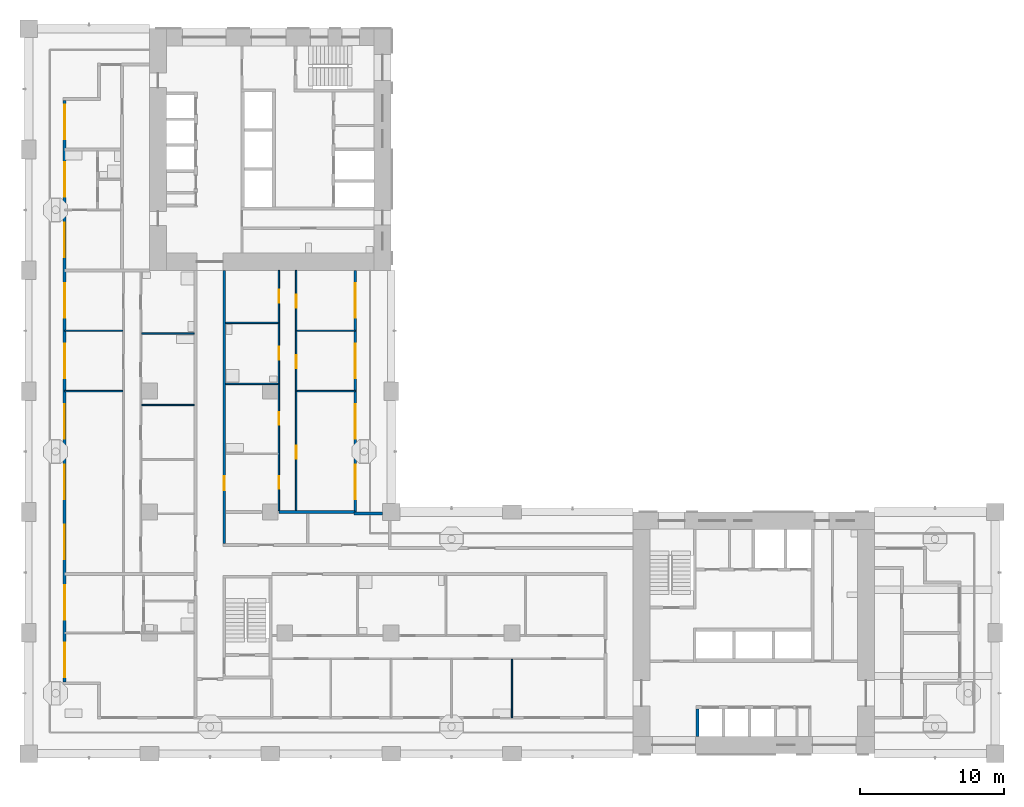
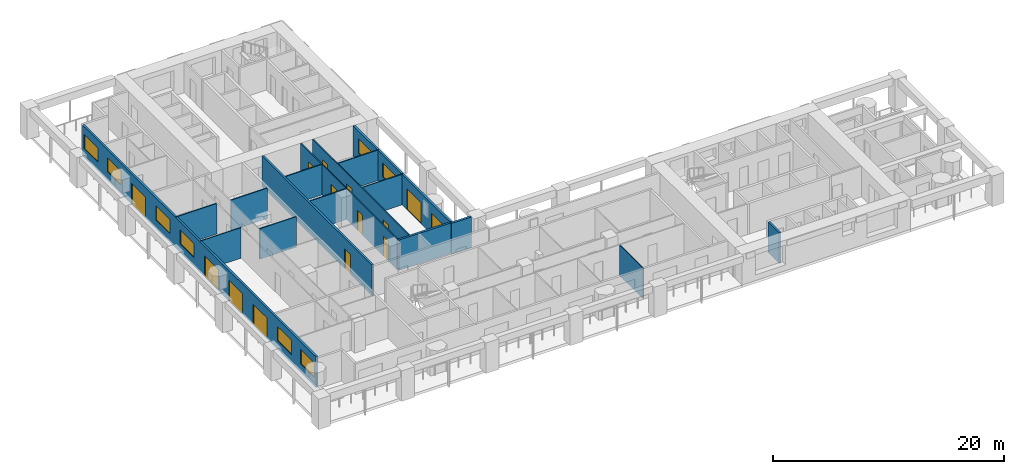
# One storey, part 4 of 18: 17 walls, 14 doors, 8 windows, 22 openings.
"""IFC4 building model written with IfcOpenShell, lengths in metres."""

from ifc_helpers import new_model, si_unit, direction, frame, frame_2d, origin, place, context, subcontext, project, spatial, rectangle, extrude, material, layer, layer_set, type_object, element, fill, save


model = new_model("IFC4")

# Units and contexts
model_context = context("Model", 3, precision=1e-05, world=origin(), true_north=direction((0.0, 1.0)))
body_context = subcontext(model_context, "Body", "Model", "MODEL_VIEW")
ifc_project = project(units=[si_unit("LENGTHUNIT", "METRE"), si_unit("AREAUNIT", "SQUARE_METRE"), si_unit("VOLUMEUNIT", "CUBIC_METRE"), si_unit("PLANEANGLEUNIT", "RADIAN"), si_unit("MASSUNIT", "GRAM", prefix="KILO")], contexts=[model_context])

# Site, building, storey
site_placement = place(None, origin())
site = spatial("IfcSite", under=ifc_project, at=site_placement, CompositionType="ELEMENT")
building_placement = place(site_placement, origin())
building = spatial("IfcBuilding", under=site, at=building_placement, Name="Vermilion Gate Residences", CompositionType="ELEMENT")
storey_placement = place(building_placement, frame((0.0, 0.0, 102.199951171875)))
storey = spatial("IfcBuildingStorey", under=building, at=storey_placement, Name="L25", CompositionType="ELEMENT", Elevation=102.199951171875)

# Wall, openings, doors, windows
ifc_material_1 = material(Name="Insulated steel stud wall with terracotta rainscreen", Category="masonry")
ifc_layer_1 = layer(ifc_material_1, 0.199951171875)
ifc_layer_set_1 = layer_set([ifc_layer_1], Name="EXTERNAL WALL 200 TERRACOTTA RAINSCREEN")
wall_type_1 = type_object("IfcWallType", Name="EXTERNAL WALL 200 TERRACOTTA RAINSCREEN", PredefinedType="SOLIDWALL", material=ifc_layer_set_1)
wall_1_placement = place(storey_placement, frame((2.5, 53.800048828125, 0.0), z_axis=(0.0, 0.0, 1.0), x_axis=(0.0, -1.0, 0.0)))
wall_1 = element("IfcWall", 1, at=wall_1_placement, inside=storey, type_object=wall_type_1, Name="External wall", PredefinedType="SOLIDWALL", context=body_context, shape_type="SweptSolid", body=[
    extrude(rectangle(XDim=40.400146484375, YDim=0.199951171875, at=frame_2d((20.2001953125, 0.0))), origin(), (0.0, 0.0, 1.0), 3.219970703125),
])
opening_1_placement = place(wall_1_placement, frame((37.699951171875, 0.0, 0.89990234375)))
opening_1 = element("IfcOpeningElement", 2, at=opening_1_placement, cuts=wall_1, Name="Opening WE25002", PredefinedType="OPENING", context=body_context, shape_type="SweptSolid", body=[
    extrude(rectangle(XDim=2.39990234375, YDim=1.5, at=frame_2d((1.199951171875, 0.75))), frame((0.0, 0.10986328125, 0.0), z_axis=(0.0, -1.0, 0.0), x_axis=(1.0, 0.0, 0.0)), (0.0, 0.0, 1.0), 0.219970703125),
])
opening_2_placement = place(wall_1_placement, frame((33.699951171875, 0.0, 0.89990234375)))
opening_2 = element("IfcOpeningElement", 3, at=opening_2_placement, cuts=wall_1, Name="Opening WE25003", PredefinedType="OPENING", context=body_context, shape_type="SweptSolid", body=[
    extrude(rectangle(XDim=2.39990234375, YDim=1.5, at=frame_2d((1.199951171875, 0.75))), frame((0.0, 0.10986328125, 0.0), z_axis=(0.0, -1.0, 0.0), x_axis=(1.0, 0.0, 0.0)), (0.0, 0.0, 1.0), 0.219970703125),
])
opening_3_placement = place(wall_1_placement, frame((29.5, 0.0, 0.0)))
opening_3 = element("IfcOpeningElement", 4, at=opening_3_placement, cuts=wall_1, Name="Opening DE25004", PredefinedType="OPENING", context=body_context, shape_type="SweptSolid", body=[
    extrude(rectangle(XDim=2.39990234375, YDim=2.199951171875, at=frame_2d((1.199951171875, 1.10009765625))), frame((0.0, 0.10986328125, 0.0), z_axis=(0.0, -1.0, 0.0), x_axis=(1.0, 0.0, 0.0)), (0.0, 0.0, 1.0), 0.219970703125),
])
opening_4_placement = place(wall_1_placement, frame((25.300048828125, 0.0, 0.0)))
opening_4 = element("IfcOpeningElement", 5, at=opening_4_placement, cuts=wall_1, Name="Opening DE25005", PredefinedType="OPENING", context=body_context, shape_type="SweptSolid", body=[
    extrude(rectangle(XDim=2.39990234375, YDim=2.199951171875, at=frame_2d((1.199951171875, 1.10009765625))), frame((0.0, 0.10986328125, 0.0), z_axis=(0.0, -1.0, 0.0), x_axis=(1.0, 0.0, 0.0)), (0.0, 0.0, 1.0), 0.219970703125),
])
opening_5_placement = place(wall_1_placement, frame((21.10009765625, 0.0, 0.0)))
opening_5 = element("IfcOpeningElement", 6, at=opening_5_placement, cuts=wall_1, Name="Opening DE25006", PredefinedType="OPENING", context=body_context, shape_type="SweptSolid", body=[
    extrude(rectangle(XDim=2.39990234375, YDim=2.199951171875, at=frame_2d((1.199951171875, 1.10009765625))), frame((0.0, 0.10986328125, 0.0), z_axis=(0.0, -1.0, 0.0), x_axis=(1.0, 0.0, 0.0)), (0.0, 0.0, 1.0), 0.219970703125),
])
opening_6_placement = place(wall_1_placement, frame((16.89990234375, 0.0, 0.89990234375)))
opening_6 = element("IfcOpeningElement", 7, at=opening_6_placement, cuts=wall_1, Name="Opening WE25007", PredefinedType="OPENING", context=body_context, shape_type="SweptSolid", body=[
    extrude(rectangle(XDim=2.39990234375, YDim=1.5, at=frame_2d((1.199951171875, 0.75))), frame((0.0, 0.10986328125, 0.0), z_axis=(0.0, -1.0, 0.0), x_axis=(1.0, 0.0, 0.0)), (0.0, 0.0, 1.0), 0.219970703125),
])
opening_7_placement = place(wall_1_placement, frame((12.699951171875, 0.0, 0.89990234375)))
opening_7 = element("IfcOpeningElement", 8, at=opening_7_placement, cuts=wall_1, Name="Opening WE25008", PredefinedType="OPENING", context=body_context, shape_type="SweptSolid", body=[
    extrude(rectangle(XDim=2.39990234375, YDim=1.5, at=frame_2d((1.199951171875, 0.75))), frame((0.0, 0.10986328125, 0.0), z_axis=(0.0, -1.0, 0.0), x_axis=(1.0, 0.0, 0.0)), (0.0, 0.0, 1.0), 0.219970703125),
])
opening_8_placement = place(wall_1_placement, frame((8.5, 0.0, 0.0)))
opening_8 = element("IfcOpeningElement", 9, at=opening_8_placement, cuts=wall_1, Name="Opening DE25009", PredefinedType="OPENING", context=body_context, shape_type="SweptSolid", body=[
    extrude(rectangle(XDim=2.39990234375, YDim=2.199951171875, at=frame_2d((1.199951171875, 1.10009765625))), frame((0.0, 0.10986328125, 0.0), z_axis=(0.0, -1.0, 0.0), x_axis=(1.0, 0.0, 0.0)), (0.0, 0.0, 1.0), 0.219970703125),
])
opening_9_placement = place(wall_1_placement, frame((4.300048828125, 0.0, 0.89990234375)))
opening_9 = element("IfcOpeningElement", 10, at=opening_9_placement, cuts=wall_1, Name="Opening WE25010", PredefinedType="OPENING", context=body_context, shape_type="SweptSolid", body=[
    extrude(rectangle(XDim=2.39990234375, YDim=1.5, at=frame_2d((1.199951171875, 0.75))), frame((0.0, 0.10986328125, 0.0), z_axis=(0.0, -1.0, 0.0), x_axis=(1.0, 0.0, 0.0)), (0.0, 0.0, 1.0), 0.219970703125),
])
opening_10_placement = place(wall_1_placement, frame((0.300048828125, 0.0, 0.89990234375)))
opening_10 = element("IfcOpeningElement", 11, at=opening_10_placement, cuts=wall_1, Name="Opening WE25011", PredefinedType="OPENING", context=body_context, shape_type="SweptSolid", body=[
    extrude(rectangle(XDim=2.39990234375, YDim=1.5, at=frame_2d((1.199951171875, 0.75))), frame((0.0, 0.10986328125, 0.0), z_axis=(0.0, -1.0, 0.0), x_axis=(1.0, 0.0, 0.0)), (0.0, 0.0, 1.0), 0.219970703125),
])
ifc_material_2 = material(Name="Aluminium and clear glass", Category="aluminium")
door_type_1 = type_object("IfcDoorType", Name="SLIDING GLAZED DOOR 2400 X 2200", OperationType="DOUBLE_DOOR_SLIDING", PredefinedType="DOOR", material=ifc_material_2)
door_1_placement = place(opening_3_placement, origin())
door_1 = element("IfcDoor", 12, at=door_1_placement, inside=storey, type_object=door_type_1, Name="Loggia sliding door", OperationType="DOUBLE_DOOR_SLIDING", OverallHeight=2.199951171875, OverallWidth=2.39990234375, PredefinedType="DOOR", context=body_context, shape_type="SweptSolid", body=[
    extrude(rectangle(XDim=2.39990234375, YDim=2.199951171875, at=frame_2d((1.199951171875, 1.10009765625))), frame((0.0, 0.02490234375, 0.0), z_axis=(0.0, -1.0, 0.0), x_axis=(1.0, 0.0, 0.0)), (0.0, 0.0, 1.0), 0.050048828125),
])
fill(opening_3, door_1)
door_2_placement = place(opening_4_placement, origin())
door_2 = element("IfcDoor", 13, at=door_2_placement, inside=storey, type_object=door_type_1, Name="Loggia sliding door", OperationType="DOUBLE_DOOR_SLIDING", OverallHeight=2.199951171875, OverallWidth=2.39990234375, PredefinedType="DOOR", context=body_context, shape_type="SweptSolid", body=[
    extrude(rectangle(XDim=2.39990234375, YDim=2.199951171875, at=frame_2d((1.199951171875, 1.10009765625))), frame((0.0, 0.02490234375, 0.0), z_axis=(0.0, -1.0, 0.0), x_axis=(1.0, 0.0, 0.0)), (0.0, 0.0, 1.0), 0.050048828125),
])
fill(opening_4, door_2)
door_3_placement = place(opening_5_placement, origin())
door_3 = element("IfcDoor", 14, at=door_3_placement, inside=storey, type_object=door_type_1, Name="Loggia sliding door", OperationType="DOUBLE_DOOR_SLIDING", OverallHeight=2.199951171875, OverallWidth=2.39990234375, PredefinedType="DOOR", context=body_context, shape_type="SweptSolid", body=[
    extrude(rectangle(XDim=2.39990234375, YDim=2.199951171875, at=frame_2d((1.199951171875, 1.10009765625))), frame((0.0, 0.02490234375, 0.0), z_axis=(0.0, -1.0, 0.0), x_axis=(1.0, 0.0, 0.0)), (0.0, 0.0, 1.0), 0.050048828125),
])
fill(opening_5, door_3)
door_4_placement = place(opening_8_placement, origin())
door_4 = element("IfcDoor", 15, at=door_4_placement, inside=storey, type_object=door_type_1, Name="Loggia sliding door", OperationType="DOUBLE_DOOR_SLIDING", OverallHeight=2.199951171875, OverallWidth=2.39990234375, PredefinedType="DOOR", context=body_context, shape_type="SweptSolid", body=[
    extrude(rectangle(XDim=2.39990234375, YDim=2.199951171875, at=frame_2d((1.199951171875, 1.10009765625))), frame((0.0, 0.02490234375, 0.0), z_axis=(0.0, -1.0, 0.0), x_axis=(1.0, 0.0, 0.0)), (0.0, 0.0, 1.0), 0.050048828125),
])
fill(opening_8, door_4)
ifc_material_3 = material(Name="Aluminium and clear glass", Category="aluminium")
window_type = type_object("IfcWindowType", Name="WINDOW 2400 X 1500", PartitioningType="SINGLE_PANEL", PredefinedType="WINDOW", material=ifc_material_3)
window_1_placement = place(opening_1_placement, origin())
window_1 = element("IfcWindow", 16, at=window_1_placement, inside=storey, type_object=window_type, Name="Window", OverallHeight=1.5, OverallWidth=2.39990234375, PartitioningType="SINGLE_PANEL", PredefinedType="WINDOW", context=body_context, shape_type="SweptSolid", body=[
    extrude(rectangle(XDim=2.39990234375, YDim=1.5, at=frame_2d((1.199951171875, 0.75))), frame((0.0, 0.030029296875, 0.0), z_axis=(0.0, -1.0, 0.0), x_axis=(1.0, 0.0, 0.0)), (0.0, 0.0, 1.0), 0.06005859375),
])
fill(opening_1, window_1)
window_2_placement = place(opening_2_placement, origin())
window_2 = element("IfcWindow", 17, at=window_2_placement, inside=storey, type_object=window_type, Name="Window", OverallHeight=1.5, OverallWidth=2.39990234375, PartitioningType="SINGLE_PANEL", PredefinedType="WINDOW", context=body_context, shape_type="SweptSolid", body=[
    extrude(rectangle(XDim=2.39990234375, YDim=1.5, at=frame_2d((1.199951171875, 0.75))), frame((0.0, 0.030029296875, 0.0), z_axis=(0.0, -1.0, 0.0), x_axis=(1.0, 0.0, 0.0)), (0.0, 0.0, 1.0), 0.06005859375),
])
fill(opening_2, window_2)
window_3_placement = place(opening_6_placement, origin())
window_3 = element("IfcWindow", 18, at=window_3_placement, inside=storey, type_object=window_type, Name="Window", OverallHeight=1.5, OverallWidth=2.39990234375, PartitioningType="SINGLE_PANEL", PredefinedType="WINDOW", context=body_context, shape_type="SweptSolid", body=[
    extrude(rectangle(XDim=2.39990234375, YDim=1.5, at=frame_2d((1.199951171875, 0.75))), frame((0.0, 0.030029296875, 0.0), z_axis=(0.0, -1.0, 0.0), x_axis=(1.0, 0.0, 0.0)), (0.0, 0.0, 1.0), 0.06005859375),
])
fill(opening_6, window_3)
window_4_placement = place(opening_7_placement, origin())
window_4 = element("IfcWindow", 19, at=window_4_placement, inside=storey, type_object=window_type, Name="Window", OverallHeight=1.5, OverallWidth=2.39990234375, PartitioningType="SINGLE_PANEL", PredefinedType="WINDOW", context=body_context, shape_type="SweptSolid", body=[
    extrude(rectangle(XDim=2.39990234375, YDim=1.5, at=frame_2d((1.199951171875, 0.75))), frame((0.0, 0.030029296875, 0.0), z_axis=(0.0, -1.0, 0.0), x_axis=(1.0, 0.0, 0.0)), (0.0, 0.0, 1.0), 0.06005859375),
])
fill(opening_7, window_4)
window_5_placement = place(opening_9_placement, origin())
window_5 = element("IfcWindow", 20, at=window_5_placement, inside=storey, type_object=window_type, Name="Window", OverallHeight=1.5, OverallWidth=2.39990234375, PartitioningType="SINGLE_PANEL", PredefinedType="WINDOW", context=body_context, shape_type="SweptSolid", body=[
    extrude(rectangle(XDim=2.39990234375, YDim=1.5, at=frame_2d((1.199951171875, 0.75))), frame((0.0, 0.030029296875, 0.0), z_axis=(0.0, -1.0, 0.0), x_axis=(1.0, 0.0, 0.0)), (0.0, 0.0, 1.0), 0.06005859375),
])
fill(opening_9, window_5)
window_6_placement = place(opening_10_placement, origin())
window_6 = element("IfcWindow", 21, at=window_6_placement, inside=storey, type_object=window_type, Name="Window", OverallHeight=1.5, OverallWidth=2.39990234375, PartitioningType="SINGLE_PANEL", PredefinedType="WINDOW", context=body_context, shape_type="SweptSolid", body=[
    extrude(rectangle(XDim=2.39990234375, YDim=1.5, at=frame_2d((1.199951171875, 0.75))), frame((0.0, 0.030029296875, 0.0), z_axis=(0.0, -1.0, 0.0), x_axis=(1.0, 0.0, 0.0)), (0.0, 0.0, 1.0), 0.06005859375),
])
fill(opening_10, window_6)

# Wall
wall_2_placement = place(storey_placement, frame((24.60009765625, 25.10009765625, 0.0), z_axis=(0.0, 0.0, 1.0), x_axis=(-1.0, 0.0, 0.0)))
element("IfcWall", 22, at=wall_2_placement, inside=storey, type_object=wall_type_1, Name="External wall", PredefinedType="SOLIDWALL", context=body_context, shape_type="SweptSolid", body=[
    extrude(rectangle(XDim=2.0, YDim=0.199951171875, at=frame_2d((1.0, 0.0))), origin(), (0.0, 0.0, 1.0), 3.219970703125),
])

# Wall, openings, doors, windows
wall_3_placement = place(storey_placement, frame((22.699951171875, 25.199951171875, 0.0), z_axis=(0.0, 0.0, 1.0), x_axis=(0.0, 1.0, 0.0)))
wall_3 = element("IfcWall", 23, at=wall_3_placement, inside=storey, type_object=wall_type_1, Name="External wall", PredefinedType="SOLIDWALL", context=body_context, shape_type="SweptSolid", body=[
    extrude(rectangle(XDim=16.800048828125, YDim=0.199951171875, at=frame_2d((8.39990234375, 0.0))), origin(), (0.0, 0.0, 1.0), 3.219970703125),
])
opening_11_placement = place(wall_3_placement, frame((0.89990234375, 0.0, 0.0)))
opening_11 = element("IfcOpeningElement", 24, at=opening_11_placement, cuts=wall_3, Name="Opening DE25024", PredefinedType="OPENING", context=body_context, shape_type="SweptSolid", body=[
    extrude(rectangle(XDim=2.39990234375, YDim=2.199951171875, at=frame_2d((1.199951171875, 1.10009765625))), frame((0.0, 0.10986328125, 0.0), z_axis=(0.0, -1.0, 0.0), x_axis=(1.0, 0.0, 0.0)), (0.0, 0.0, 1.0), 0.219970703125),
])
opening_12_placement = place(wall_3_placement, frame((5.10009765625, 0.0, 0.0)))
opening_12 = element("IfcOpeningElement", 25, at=opening_12_placement, cuts=wall_3, Name="Opening DE25025", PredefinedType="OPENING", context=body_context, shape_type="SweptSolid", body=[
    extrude(rectangle(XDim=2.39990234375, YDim=2.199951171875, at=frame_2d((1.199951171875, 1.10009765625))), frame((0.0, 0.10986328125, 0.0), z_axis=(0.0, -1.0, 0.0), x_axis=(1.0, 0.0, 0.0)), (0.0, 0.0, 1.0), 0.219970703125),
])
opening_13_placement = place(wall_3_placement, frame((9.300048828125, 0.0, 0.89990234375)))
opening_13 = element("IfcOpeningElement", 26, at=opening_13_placement, cuts=wall_3, Name="Opening WE25026", PredefinedType="OPENING", context=body_context, shape_type="SweptSolid", body=[
    extrude(rectangle(XDim=2.39990234375, YDim=1.5, at=frame_2d((1.199951171875, 0.75))), frame((0.0, 0.10986328125, 0.0), z_axis=(0.0, -1.0, 0.0), x_axis=(1.0, 0.0, 0.0)), (0.0, 0.0, 1.0), 0.219970703125),
])
opening_14_placement = place(wall_3_placement, frame((13.5, 0.0, 0.89990234375)))
opening_14 = element("IfcOpeningElement", 27, at=opening_14_placement, cuts=wall_3, Name="Opening WE25027", PredefinedType="OPENING", context=body_context, shape_type="SweptSolid", body=[
    extrude(rectangle(XDim=2.39990234375, YDim=1.5, at=frame_2d((1.199951171875, 0.75))), frame((0.0, 0.10986328125, 0.0), z_axis=(0.0, -1.0, 0.0), x_axis=(1.0, 0.0, 0.0)), (0.0, 0.0, 1.0), 0.219970703125),
])
door_5_placement = place(opening_11_placement, origin())
door_5 = element("IfcDoor", 28, at=door_5_placement, inside=storey, type_object=door_type_1, Name="Loggia sliding door", OperationType="DOUBLE_DOOR_SLIDING", OverallHeight=2.199951171875, OverallWidth=2.39990234375, PredefinedType="DOOR", context=body_context, shape_type="SweptSolid", body=[
    extrude(rectangle(XDim=2.39990234375, YDim=2.199951171875, at=frame_2d((1.199951171875, 1.10009765625))), frame((0.0, 0.02490234375, 0.0), z_axis=(0.0, -1.0, 0.0), x_axis=(1.0, 0.0, 0.0)), (0.0, 0.0, 1.0), 0.050048828125),
])
fill(opening_11, door_5)
door_6_placement = place(opening_12_placement, origin())
door_6 = element("IfcDoor", 29, at=door_6_placement, inside=storey, type_object=door_type_1, Name="Loggia sliding door", OperationType="DOUBLE_DOOR_SLIDING", OverallHeight=2.199951171875, OverallWidth=2.39990234375, PredefinedType="DOOR", context=body_context, shape_type="SweptSolid", body=[
    extrude(rectangle(XDim=2.39990234375, YDim=2.199951171875, at=frame_2d((1.199951171875, 1.10009765625))), frame((0.0, 0.02490234375, 0.0), z_axis=(0.0, -1.0, 0.0), x_axis=(1.0, 0.0, 0.0)), (0.0, 0.0, 1.0), 0.050048828125),
])
fill(opening_12, door_6)
window_7_placement = place(opening_13_placement, origin())
window_7 = element("IfcWindow", 30, at=window_7_placement, inside=storey, type_object=window_type, Name="Window", OverallHeight=1.5, OverallWidth=2.39990234375, PartitioningType="SINGLE_PANEL", PredefinedType="WINDOW", context=body_context, shape_type="SweptSolid", body=[
    extrude(rectangle(XDim=2.39990234375, YDim=1.5, at=frame_2d((1.199951171875, 0.75))), frame((0.0, 0.030029296875, 0.0), z_axis=(0.0, -1.0, 0.0), x_axis=(1.0, 0.0, 0.0)), (0.0, 0.0, 1.0), 0.06005859375),
])
fill(opening_13, window_7)
window_8_placement = place(opening_14_placement, origin())
window_8 = element("IfcWindow", 31, at=window_8_placement, inside=storey, type_object=window_type, Name="Window", OverallHeight=1.5, OverallWidth=2.39990234375, PartitioningType="SINGLE_PANEL", PredefinedType="WINDOW", context=body_context, shape_type="SweptSolid", body=[
    extrude(rectangle(XDim=2.39990234375, YDim=1.5, at=frame_2d((1.199951171875, 0.75))), frame((0.0, 0.030029296875, 0.0), z_axis=(0.0, -1.0, 0.0), x_axis=(1.0, 0.0, 0.0)), (0.0, 0.0, 1.0), 0.06005859375),
])
fill(opening_14, window_8)

# Walls
ifc_material_4 = material(Name="Plasterboard on steel studs", Category="steel")
ifc_layer_2 = layer(ifc_material_4, 0.10009765625)
ifc_layer_set_2 = layer_set([ifc_layer_2], Name="PARTITION 100")
wall_type_2 = type_object("IfcWallType", Name="PARTITION 100", PredefinedType="PARTITIONING", material=ifc_layer_set_2)
wall_4_placement = place(storey_placement, frame((7.85009765625, 32.639892578125, 0.0), z_axis=(0.0, 0.0, 1.0), x_axis=(1.0, 0.0, 0.0)))
element("IfcWall", 32, at=wall_4_placement, inside=storey, type_object=wall_type_2, Name="Partition", PredefinedType="PARTITIONING", context=body_context, shape_type="SweptSolid", body=[
    extrude(rectangle(XDim=3.64990234375, YDim=0.10009765625, at=frame_2d((1.824951171875, 0.0))), origin(), (0.0, 0.0, 1.0), 3.219970703125),
])
for number, where, z_axis, x_axis, name in (
    (33, (2.5, 33.60009765625, 0.0), (0.0, 0.0, 1.0), (1.0, 0.0, 0.0), "Partition"),
    (34, (18.64990234375, 33.60009765625, 0.0), (0.0, 0.0, 1.0), (1.0, 0.0, 0.0), "Partition"),
):
    element("IfcWall", number, at=place(storey_placement, frame(where, z_axis=z_axis, x_axis=x_axis)), inside=storey, type_object=wall_type_2, Name=name, PredefinedType="PARTITIONING", context=body_context, shape_type="SweptSolid", body=[
        extrude(rectangle(XDim=4.050048828125, YDim=0.10009765625, at=frame_2d((2.02490234375, 0.0))), origin(), (0.0, 0.0, 1.0), 3.219970703125),
    ])
wall_5_placement = place(storey_placement, frame((13.699951171875, 34.10009765625, 0.0), z_axis=(0.0, 0.0, 1.0), x_axis=(1.0, 0.0, 0.0)))
element("IfcWall", 35, at=wall_5_placement, inside=storey, type_object=wall_type_2, Name="Partition", PredefinedType="PARTITIONING", context=body_context, shape_type="SweptSolid", body=[
    extrude(rectangle(XDim=3.650146484375, YDim=0.10009765625, at=frame_2d((1.8251953125, 0.0))), origin(), (0.0, 0.0, 1.0), 3.219970703125),
])
wall_6_placement = place(storey_placement, frame((7.85009765625, 37.6201171875, 0.0), z_axis=(0.0, 0.0, 1.0), x_axis=(1.0, 0.0, 0.0)))
element("IfcWall", 36, at=wall_6_placement, inside=storey, type_object=wall_type_2, Name="Partition", PredefinedType="PARTITIONING", context=body_context, shape_type="SweptSolid", body=[
    extrude(rectangle(XDim=3.64990234375, YDim=0.10009765625, at=frame_2d((1.824951171875, 0.0))), origin(), (0.0, 0.0, 1.0), 3.219970703125),
])
for number, where, z_axis, x_axis, name in (
    (37, (2.5, 37.800048828125, 0.0), (0.0, 0.0, 1.0), (1.0, 0.0, 0.0), "Partition"),
    (38, (18.64990234375, 37.800048828125, 0.0), (0.0, 0.0, 1.0), (1.0, 0.0, 0.0), "Partition"),
):
    element("IfcWall", number, at=place(storey_placement, frame(where, z_axis=z_axis, x_axis=x_axis)), inside=storey, type_object=wall_type_2, Name=name, PredefinedType="PARTITIONING", context=body_context, shape_type="SweptSolid", body=[
        extrude(rectangle(XDim=4.050048828125, YDim=0.10009765625, at=frame_2d((2.02490234375, 0.0))), origin(), (0.0, 0.0, 1.0), 3.219970703125),
    ])
wall_7_placement = place(storey_placement, frame((13.699951171875, 38.35009765625, 0.0), z_axis=(0.0, 0.0, 1.0), x_axis=(1.0, 0.0, 0.0)))
element("IfcWall", 39, at=wall_7_placement, inside=storey, type_object=wall_type_2, Name="Partition", PredefinedType="PARTITIONING", context=body_context, shape_type="SweptSolid", body=[
    extrude(rectangle(XDim=3.650146484375, YDim=0.10009765625, at=frame_2d((1.8251953125, 0.0))), origin(), (0.0, 0.0, 1.0), 3.219970703125),
])

# Wall, openings, doors
wall_8_placement = place(storey_placement, frame((17.39990234375, 25.300048828125, 0.0), z_axis=(0.0, 0.0, 1.0), x_axis=(0.0, 1.0, 0.0)))
wall_8 = element("IfcWall", 40, at=wall_8_placement, inside=storey, type_object=wall_type_2, Name="Partition", PredefinedType="PARTITIONING", context=body_context, shape_type="SweptSolid", body=[
    extrude(rectangle(XDim=16.699951171875, YDim=0.10009765625, at=frame_2d((8.35009765625, 0.0))), origin(), (0.0, 0.0, 1.0), 3.219970703125),
])
opening_15_placement = place(wall_8_placement, frame((1.5, 0.0, 0.0)))
opening_15 = element("IfcOpeningElement", 41, at=opening_15_placement, cuts=wall_8, Name="Opening DA25034", PredefinedType="OPENING", context=body_context, shape_type="SweptSolid", body=[
    extrude(rectangle(XDim=0.89990234375, YDim=2.10009765625, at=frame_2d((0.449951171875, 1.050048828125))), frame((0.0, 0.06005859375, 0.0), z_axis=(0.0, -1.0, 0.0), x_axis=(1.0, 0.0, 0.0)), (0.0, 0.0, 1.0), 0.1201171875),
])
opening_16_placement = place(wall_8_placement, frame((5.949951171875, 0.0, 0.0)))
opening_16 = element("IfcOpeningElement", 42, at=opening_16_placement, cuts=wall_8, Name="Opening DA25035", PredefinedType="OPENING", context=body_context, shape_type="SweptSolid", body=[
    extrude(rectangle(XDim=0.89990234375, YDim=2.10009765625, at=frame_2d((0.449951171875, 1.050048828125))), frame((0.0, 0.06005859375, 0.0), z_axis=(0.0, -1.0, 0.0), x_axis=(1.0, 0.0, 0.0)), (0.0, 0.0, 1.0), 0.1201171875),
])
opening_17_placement = place(wall_8_placement, frame((10.5, 0.0, 0.0)))
opening_17 = element("IfcOpeningElement", 43, at=opening_17_placement, cuts=wall_8, Name="Opening DA25036", PredefinedType="OPENING", context=body_context, shape_type="SweptSolid", body=[
    extrude(rectangle(XDim=0.89990234375, YDim=2.10009765625, at=frame_2d((0.449951171875, 1.050048828125))), frame((0.0, 0.06005859375, 0.0), z_axis=(0.0, -1.0, 0.0), x_axis=(1.0, 0.0, 0.0)), (0.0, 0.0, 1.0), 0.1201171875),
])
opening_18_placement = place(wall_8_placement, frame((14.449951171875, 0.0, 0.0)))
opening_18 = element("IfcOpeningElement", 44, at=opening_18_placement, cuts=wall_8, Name="Opening DA25037", PredefinedType="OPENING", context=body_context, shape_type="SweptSolid", body=[
    extrude(rectangle(XDim=0.89990234375, YDim=2.10009765625, at=frame_2d((0.449951171875, 1.050048828125))), frame((0.0, 0.06005859375, 0.0), z_axis=(0.0, -1.0, 0.0), x_axis=(1.0, 0.0, 0.0)), (0.0, 0.0, 1.0), 0.1201171875),
])
ifc_material_5 = material(Name="Timber", Category="wood")
door_type_2 = type_object("IfcDoorType", Name="INTERIOR DOOR 900 X 2100", OperationType="SINGLE_SWING_LEFT", PredefinedType="DOOR", material=ifc_material_5)
door_7_placement = place(opening_15_placement, origin())
door_7 = element("IfcDoor", 45, at=door_7_placement, inside=storey, type_object=door_type_2, Name="Interior door", OperationType="SINGLE_SWING_LEFT", OverallHeight=2.10009765625, OverallWidth=0.89990234375, PredefinedType="DOOR", context=body_context, shape_type="SweptSolid", body=[
    extrude(rectangle(XDim=0.89990234375, YDim=2.10009765625, at=frame_2d((0.449951171875, 1.050048828125))), frame((0.0, 0.02490234375, 0.0), z_axis=(0.0, -1.0, 0.0), x_axis=(1.0, 0.0, 0.0)), (0.0, 0.0, 1.0), 0.050048828125),
])
fill(opening_15, door_7)
door_8_placement = place(opening_16_placement, origin())
door_8 = element("IfcDoor", 46, at=door_8_placement, inside=storey, type_object=door_type_2, Name="Interior door", OperationType="SINGLE_SWING_RIGHT", OverallHeight=2.10009765625, OverallWidth=0.89990234375, PredefinedType="DOOR", context=body_context, shape_type="SweptSolid", body=[
    extrude(rectangle(XDim=0.89990234375, YDim=2.10009765625, at=frame_2d((0.449951171875, 1.050048828125))), frame((0.0, 0.02490234375, 0.0), z_axis=(0.0, -1.0, 0.0), x_axis=(1.0, 0.0, 0.0)), (0.0, 0.0, 1.0), 0.050048828125),
])
fill(opening_16, door_8)
door_9_placement = place(opening_17_placement, origin())
door_9 = element("IfcDoor", 47, at=door_9_placement, inside=storey, type_object=door_type_2, Name="Interior door", OperationType="SINGLE_SWING_LEFT", OverallHeight=2.10009765625, OverallWidth=0.89990234375, PredefinedType="DOOR", context=body_context, shape_type="SweptSolid", body=[
    extrude(rectangle(XDim=0.89990234375, YDim=2.10009765625, at=frame_2d((0.449951171875, 1.050048828125))), frame((0.0, 0.02490234375, 0.0), z_axis=(0.0, -1.0, 0.0), x_axis=(1.0, 0.0, 0.0)), (0.0, 0.0, 1.0), 0.050048828125),
])
fill(opening_17, door_9)
door_10_placement = place(opening_18_placement, origin())
door_10 = element("IfcDoor", 48, at=door_10_placement, inside=storey, type_object=door_type_2, Name="Interior door", OperationType="SINGLE_SWING_LEFT", OverallHeight=2.10009765625, OverallWidth=0.89990234375, PredefinedType="DOOR", context=body_context, shape_type="SweptSolid", body=[
    extrude(rectangle(XDim=0.89990234375, YDim=2.10009765625, at=frame_2d((0.449951171875, 1.050048828125))), frame((0.0, 0.02490234375, 0.0), z_axis=(0.0, -1.0, 0.0), x_axis=(1.0, 0.0, 0.0)), (0.0, 0.0, 1.0), 0.050048828125),
])
fill(opening_18, door_10)

wall_9_placement = place(storey_placement, frame((18.60009765625, 25.300048828125, 0.0), z_axis=(0.0, 0.0, 1.0), x_axis=(0.0, 1.0, 0.0)))
wall_9 = element("IfcWall", 49, at=wall_9_placement, inside=storey, type_object=wall_type_2, Name="Partition", PredefinedType="PARTITIONING", context=body_context, shape_type="SweptSolid", body=[
    extrude(rectangle(XDim=16.699951171875, YDim=0.10009765625, at=frame_2d((8.35009765625, 0.0))), origin(), (0.0, 0.0, 1.0), 3.219970703125),
])
opening_19_placement = place(wall_9_placement, frame((3.60009765625, 0.0, 0.0)))
opening_19 = element("IfcOpeningElement", 50, at=opening_19_placement, cuts=wall_9, Name="Opening DA25038", PredefinedType="OPENING", context=body_context, shape_type="SweptSolid", body=[
    extrude(rectangle(XDim=0.89990234375, YDim=2.10009765625, at=frame_2d((0.449951171875, 1.050048828125))), frame((0.0, 0.06005859375, 0.0), z_axis=(0.0, -1.0, 0.0), x_axis=(1.0, 0.0, 0.0)), (0.0, 0.0, 1.0), 0.1201171875),
])
opening_20_placement = place(wall_9_placement, frame((9.89990234375, 0.0, 0.0)))
opening_20 = element("IfcOpeningElement", 51, at=opening_20_placement, cuts=wall_9, Name="Opening DA25039", PredefinedType="OPENING", context=body_context, shape_type="SweptSolid", body=[
    extrude(rectangle(XDim=0.89990234375, YDim=2.10009765625, at=frame_2d((0.449951171875, 1.050048828125))), frame((0.0, 0.06005859375, 0.0), z_axis=(0.0, -1.0, 0.0), x_axis=(1.0, 0.0, 0.0)), (0.0, 0.0, 1.0), 0.1201171875),
])
opening_21_placement = place(wall_9_placement, frame((14.10009765625, 0.0, 0.0)))
opening_21 = element("IfcOpeningElement", 52, at=opening_21_placement, cuts=wall_9, Name="Opening DA25040", PredefinedType="OPENING", context=body_context, shape_type="SweptSolid", body=[
    extrude(rectangle(XDim=0.89990234375, YDim=2.10009765625, at=frame_2d((0.449951171875, 1.050048828125))), frame((0.0, 0.06005859375, 0.0), z_axis=(0.0, -1.0, 0.0), x_axis=(1.0, 0.0, 0.0)), (0.0, 0.0, 1.0), 0.1201171875),
])
door_11_placement = place(opening_19_placement, frame((0.89990234375, 0.0, 0.0), z_axis=(0.0, 0.0, 1.0), x_axis=(-1.0, 0.0, 0.0)))
door_11 = element("IfcDoor", 53, at=door_11_placement, inside=storey, type_object=door_type_2, Name="Interior door", OperationType="SINGLE_SWING_RIGHT", OverallHeight=2.10009765625, OverallWidth=0.89990234375, PredefinedType="DOOR", context=body_context, shape_type="SweptSolid", body=[
    extrude(rectangle(XDim=0.89990234375, YDim=2.10009765625, at=frame_2d((0.449951171875, 1.050048828125))), frame((0.0, 0.02490234375, 0.0), z_axis=(0.0, -1.0, 0.0), x_axis=(1.0, 0.0, 0.0)), (0.0, 0.0, 1.0), 0.050048828125),
])
fill(opening_19, door_11)
door_12_placement = place(opening_20_placement, frame((0.89990234375, 0.0, 0.0), z_axis=(0.0, 0.0, 1.0), x_axis=(-1.0, 0.0, 0.0)))
door_12 = element("IfcDoor", 54, at=door_12_placement, inside=storey, type_object=door_type_2, Name="Interior door", OperationType="SINGLE_SWING_RIGHT", OverallHeight=2.10009765625, OverallWidth=0.89990234375, PredefinedType="DOOR", context=body_context, shape_type="SweptSolid", body=[
    extrude(rectangle(XDim=0.89990234375, YDim=2.10009765625, at=frame_2d((0.449951171875, 1.050048828125))), frame((0.0, 0.02490234375, 0.0), z_axis=(0.0, -1.0, 0.0), x_axis=(1.0, 0.0, 0.0)), (0.0, 0.0, 1.0), 0.050048828125),
])
fill(opening_20, door_12)
door_13_placement = place(opening_21_placement, frame((0.89990234375, 0.0, 0.0), z_axis=(0.0, 0.0, 1.0), x_axis=(-1.0, 0.0, 0.0)))
door_13 = element("IfcDoor", 55, at=door_13_placement, inside=storey, type_object=door_type_2, Name="Interior door", OperationType="SINGLE_SWING_RIGHT", OverallHeight=2.10009765625, OverallWidth=0.89990234375, PredefinedType="DOOR", context=body_context, shape_type="SweptSolid", body=[
    extrude(rectangle(XDim=0.89990234375, YDim=2.10009765625, at=frame_2d((0.449951171875, 1.050048828125))), frame((0.0, 0.02490234375, 0.0), z_axis=(0.0, -1.0, 0.0), x_axis=(1.0, 0.0, 0.0)), (0.0, 0.0, 1.0), 0.050048828125),
])
fill(opening_21, door_13)

# Walls
wall_10_placement = place(storey_placement, frame((33.60009765625, 10.89990234375, 0.0), z_axis=(0.0, 0.0, 1.0), x_axis=(0.0, 1.0, 0.0)))
element("IfcWall", 56, at=wall_10_placement, inside=storey, type_object=wall_type_2, Name="Partition", PredefinedType="PARTITIONING", context=body_context, shape_type="SweptSolid", body=[
    extrude(rectangle(XDim=4.050048828125, YDim=0.10009765625, at=frame_2d((2.02490234375, 0.0))), origin(), (0.0, 0.0, 1.0), 3.219970703125),
])
ifc_material_6 = material(Name="Fire-rated plasterboard on steel studs", Category="steel")
ifc_layer_3 = layer(ifc_material_6, 0.199951171875)
ifc_layer_set_3 = layer_set([ifc_layer_3], Name="PARTY WALL 200 EI 120")
wall_type_3 = type_object("IfcWallType", Name="PARTY WALL 200 EI 120", PredefinedType="PARTITIONING", material=ifc_layer_set_3)
wall_11_placement = place(storey_placement, frame((17.39990234375, 25.199951171875, 0.0), z_axis=(0.0, 0.0, 1.0), x_axis=(1.0, 0.0, 0.0)))
element("IfcWall", 57, at=wall_11_placement, inside=storey, type_object=wall_type_3, Name="Party and corridor wall", PredefinedType="PARTITIONING", context=body_context, shape_type="SweptSolid", body=[
    extrude(rectangle(XDim=5.300048828125, YDim=0.199951171875, at=frame_2d((2.64990234375, 0.0))), origin(), (0.0, 0.0, 1.0), 3.219970703125),
])

# Wall, opening, door
wall_12_placement = place(storey_placement, frame((13.60009765625, 23.0, 0.0), z_axis=(0.0, 0.0, 1.0), x_axis=(0.0, 1.0, 0.0)))
wall_12 = element("IfcWall", 58, at=wall_12_placement, inside=storey, type_object=wall_type_3, Name="Party and corridor wall", PredefinedType="PARTITIONING", context=body_context, shape_type="SweptSolid", body=[
    extrude(rectangle(XDim=19.0, YDim=0.199951171875, at=frame_2d((9.5, 0.0))), origin(), (0.0, 0.0, 1.0), 3.219970703125),
])
opening_22_placement = place(wall_12_placement, frame((3.699951171875, 0.0, 0.0)))
opening_22 = element("IfcOpeningElement", 59, at=opening_22_placement, cuts=wall_12, Name="Opening DA25033", PredefinedType="OPENING", context=body_context, shape_type="SweptSolid", body=[
    extrude(rectangle(XDim=1.0, YDim=2.10009765625, at=frame_2d((0.5, 1.050048828125))), frame((0.0, 0.10986328125, 0.0), z_axis=(0.0, -1.0, 0.0), x_axis=(1.0, 0.0, 0.0)), (0.0, 0.0, 1.0), 0.219970703125),
])
ifc_material_7 = material(Name="Steel", Category="steel")
door_type_3 = type_object("IfcDoorType", Name="ENTRANCE DOOR 1000 X 2100 FD30", OperationType="SINGLE_SWING_LEFT", PredefinedType="DOOR", material=ifc_material_7)
door_14_placement = place(opening_22_placement, frame((1.0, 0.0, 0.0), z_axis=(0.0, 0.0, 1.0), x_axis=(-1.0, 0.0, 0.0)))
door_14 = element("IfcDoor", 60, at=door_14_placement, inside=storey, type_object=door_type_3, Name="Entrance door", OperationType="SINGLE_SWING_RIGHT", OverallHeight=2.10009765625, OverallWidth=1.0, PredefinedType="DOOR", context=body_context, shape_type="SweptSolid", body=[
    extrude(rectangle(XDim=1.0, YDim=2.10009765625, at=frame_2d((0.5, 1.050048828125))), frame((0.0, 0.02490234375, 0.0), z_axis=(0.0, -1.0, 0.0), x_axis=(1.0, 0.0, 0.0)), (0.0, 0.0, 1.0), 0.050048828125),
])
fill(opening_22, door_14)

# Wall
ifc_material_8 = material(Name="Concrete C60", Category="concrete")
ifc_layer_4 = layer(ifc_material_8, 0.199951171875)
ifc_layer_set_4 = layer_set([ifc_layer_4], Name="RC CORE INTERNAL WALL 200 C60")
wall_type_4 = type_object("IfcWallType", Name="RC CORE INTERNAL WALL 200 C60", PredefinedType="SHEAR", material=ifc_layer_set_4)
wall_13_placement = place(storey_placement, frame((46.5, 9.60009765625, 0.0), z_axis=(0.0, 0.0, 1.0), x_axis=(0.0, 1.0, 0.0)))
element("IfcWall", 61, at=wall_13_placement, inside=storey, type_object=wall_type_4, Name="Core internal wall A25-LR-D0", PredefinedType="SHEAR", context=body_context, shape_type="SweptSolid", body=[
    extrude(rectangle(XDim=1.89990234375, YDim=0.199951171875, at=frame_2d((0.949951171875, 0.0))), origin(), (0.0, 0.0, 1.0), 3.219970703125),
])

save(model, "model.ifc")
